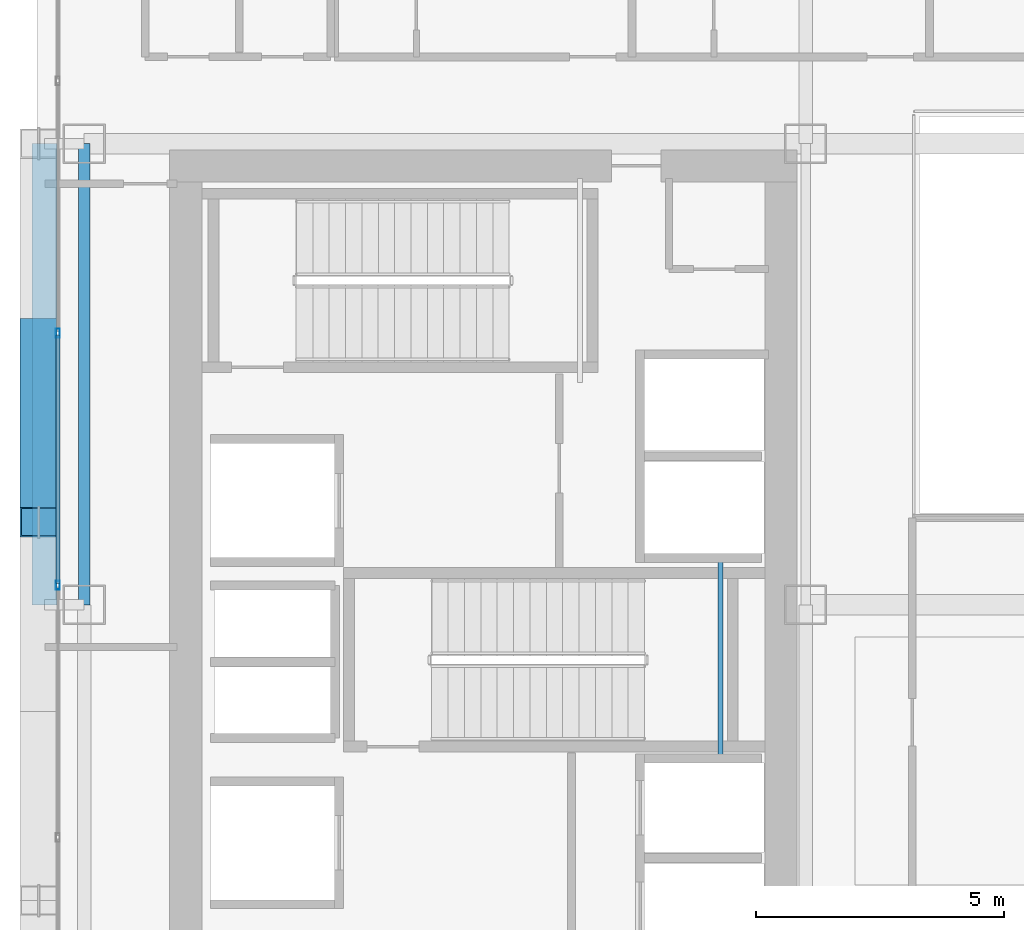
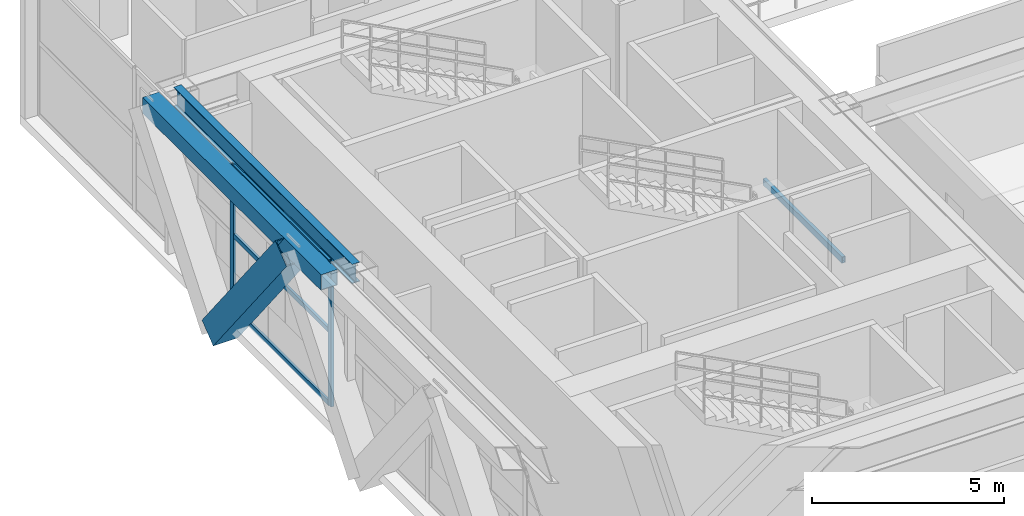
# One storey, part 9 of 38: 6 members, 3 beams, 1 element without a shape of its own.
"""IFC4 building model written with IfcOpenShell, lengths in metres."""

from ifc_helpers import new_model, si_unit, direction, frame, origin, origin_2d, place, context, subcontext, project, spatial, hollow_rectangle, i_section, extrude, source, transform, mapped, material, layer, layer_set, material_profile, profile_set, type_object, element, aggregate, save


model = new_model("IFC4")

# Units and contexts
model_context = context("Model", 3, precision=1e-05, world=origin(), true_north=direction((0.0, 1.0)))
body_context = subcontext(model_context, "Body", "Model", "MODEL_VIEW")
ifc_project = project(units=[si_unit("LENGTHUNIT", "METRE"), si_unit("AREAUNIT", "SQUARE_METRE"), si_unit("VOLUMEUNIT", "CUBIC_METRE"), si_unit("PLANEANGLEUNIT", "RADIAN"), si_unit("MASSUNIT", "GRAM", prefix="KILO")], contexts=[model_context])

# Site, building, storey
site_placement = place(None, origin())
site = spatial("IfcSite", under=ifc_project, at=site_placement, CompositionType="ELEMENT")
building_placement = place(site_placement, origin())
building = spatial("IfcBuilding", under=site, at=building_placement, Name="Ocotamira Hotel", CompositionType="ELEMENT")
storey_placement = place(building_placement, frame((0.0, 0.0, 92.39990234375)))
storey = spatial("IfcBuildingStorey", under=building, at=storey_placement, Name="L22", CompositionType="ELEMENT", Elevation=92.39990234375)

# Beams
ifc_material_1 = material(Name="Steel ASTM A500 Grade C", Category="steel")
ifc_material_profile_1 = material_profile(ifc_material_1, hollow_rectangle(XDim=0.10009765625, YDim=0.199951171875, WallThickness=0.008056640625, at=origin_2d()), Name="HSS200X100X8")
ifc_profile_set_1 = profile_set([ifc_material_profile_1], Name="Steel ASTM A500 Grade C")
beam_type_1 = type_object("IfcBeamType", Name="BM-STLDG-HSS200", PredefinedType="BEAM", material=ifc_profile_set_1)
shared_shape_1 = source(origin(), body_context, "Body", "SweptSolid", [
    extrude(hollow_rectangle(XDim=0.10009765625, YDim=0.199951171875, WallThickness=0.008056640625, at=origin_2d()), origin(), (0.0, 0.0, 1.0), 4.1201171875),
])
beam_1_placement = place(storey_placement, frame((21.780029296875, 24.97998046875, 2.10009765625), z_axis=(0.0, 1.0, 0.0), x_axis=(-1.0, 0.0, 0.0)))
element("IfcBeam", 1, at=beam_1_placement, inside=storey, type_object=beam_type_1, Name="L22 Stair ST-3 Landing Bearer 1", PredefinedType="BEAM", context=body_context, shape_type="MappedRepresentation", body=[
    mapped(shared_shape_1, transform((0.0, 0.0, 0.0), scale=1.0)),
])
ifc_material_2 = material(Name="Steel ASTM A992 Grade 50", Category="steel")
ifc_material_profile_2 = material_profile(ifc_material_2, i_section(OverallWidth=0.22998046875, OverallDepth=0.616943359375, WebThickness=0.01318359375, FlangeThickness=0.022216796875, FilletRadius=0.012939453125, at=origin_2d()), Name="W24X94")
ifc_profile_set_2 = profile_set([ifc_material_profile_2], Name="Steel ASTM A992 Grade 50")
beam_type_2 = type_object("IfcBeamType", Name="BM-PRIM-W24X94", PredefinedType="BEAM", material=ifc_profile_set_2)
shared_shape_2 = source(origin(), body_context, "Body", "SweptSolid", [
    extrude(i_section(OverallWidth=0.22998046875, OverallDepth=0.616943359375, WebThickness=0.01318359375, FlangeThickness=0.022216796875, FilletRadius=0.012939453125, at=origin_2d()), origin(), (0.0, 0.0, 1.0), 9.300048828125),
])
beam_2_placement = place(storey_placement, frame((8.949951171875, 28.14990234375, 4.251708984375), z_axis=(0.0, 1.0, 0.0), x_axis=(-1.0, 0.0, 0.0)))
element("IfcBeam", 2, at=beam_2_placement, inside=storey, type_object=beam_type_2, Name="L22 Beam X8.95 Y28.15-37.45", PredefinedType="BEAM", context=body_context, shape_type="MappedRepresentation", body=[
    mapped(shared_shape_2, transform((0.0, 0.0, 0.0), scale=1.0)),
])
ifc_material_profile_3 = material_profile(ifc_material_1, hollow_rectangle(XDim=0.5, YDim=0.5, WallThickness=0.02001953125, at=origin_2d()), Name="HSS500X500X20")
ifc_profile_set_3 = profile_set([ifc_material_profile_3], Name="Steel ASTM A500 Grade C")
beam_type_3 = type_object("IfcBeamType", Name="BM-SPAN-HSS500", PredefinedType="USERDEFINED", material=ifc_profile_set_3)
shared_shape_3 = source(origin(), body_context, "Body", "SweptSolid", [
    extrude(hollow_rectangle(XDim=0.5, YDim=0.5, WallThickness=0.02001953125, at=origin_2d()), origin(), (0.0, 0.0, 1.0), 9.300048828125),
])
beam_3_placement = place(storey_placement, frame((8.14990234375, 28.14990234375, 4.31005859375), z_axis=(0.0, 1.0, 0.0), x_axis=(-1.0, 0.0, 0.0)))
element("IfcBeam", 3, at=beam_3_placement, inside=storey, type_object=beam_type_3, Name="L22 Edge Spandrel W Y28.15-37.45", ObjectType="SPANDREL", PredefinedType="USERDEFINED", context=body_context, shape_type="MappedRepresentation", body=[
    mapped(shared_shape_3, transform((0.0, 0.0, 0.0), scale=1.0)),
])

# Member
ifc_material_3 = material(Name="Pale-metal coated steel ASTM A913 Grade 65", Category="steel")
ifc_material_profile_4 = material_profile(ifc_material_3, hollow_rectangle(XDim=0.75, YDim=0.75, WallThickness=0.028076171875, at=origin_2d()), Name="BOX750X750X28")
ifc_profile_set_4 = profile_set([ifc_material_profile_4], Name="Pale-metal coated steel ASTM A913 Grade 65")
member_type_1 = type_object("IfcMemberType", Name="MEM-EXO-BOX750", PredefinedType="BRACE", material=ifc_profile_set_4)
shared_shape_4 = source(origin(), body_context, "Body", "SweptSolid", [
    extrude(hollow_rectangle(XDim=0.75, YDim=0.75, WallThickness=0.028076171875, at=origin_2d()), origin(), (0.0, 0.0, 1.0), 6.16357421875),
])
member_1_placement = place(storey_placement, frame((8.030029296875, 33.63330078125, -0.52978515625), z_axis=(0.0, -0.619216534821, 0.785220276741), x_axis=(1.0, 0.0, 0.0)))
element("IfcMember", 4, at=member_1_placement, inside=storey, type_object=member_type_1, Name="L22 Exoskeleton Diagrid W2.1", PredefinedType="BRACE", context=body_context, shape_type="MappedRepresentation", body=[
    mapped(shared_shape_4, transform((0.0, 0.0, 0.0), scale=1.0)),
])

# Curtain wall, members
ifc_material_4 = material(Name="Anodised pale-metal aluminium and solar glass", Category="aluminium")
ifc_layer = layer(ifc_material_4, 0.239990234375)
ifc_layer_set = layer_set([ifc_layer], Name="Anodised pale-metal aluminium and solar glass")
curtain_wall_type = type_object("IfcCurtainWallType", Name="CW-SYS5-SKY", PredefinedType="NOTDEFINED", material=ifc_layer_set)
curtain_wall_placement = place(storey_placement, origin())
curtain_wall = element("IfcCurtainWall", 5, at=curtain_wall_placement, inside=storey, type_object=curtain_wall_type, Name="L22 Curtain Wall CW-5 CW-L22-W", PredefinedType="NOTDEFINED")
ifc_material_5 = material(Name="Anodised pale-metal aluminium 6063-T6", Category="aluminium")
ifc_material_profile_5 = material_profile(ifc_material_5, hollow_rectangle(XDim=0.074951171875, YDim=0.14990234375, WallThickness=0.006103515625, at=origin_2d()), Name="HSS150X75X6")
ifc_profile_set_5 = profile_set([ifc_material_profile_5], Name="Anodised pale-metal aluminium 6063-T6")
member_type_2 = type_object("IfcMemberType", Name="CWT-150X75", PredefinedType="USERDEFINED", material=ifc_profile_set_5)
shared_shape_5 = source(origin(), body_context, "Body", "SweptSolid", [
    extrude(hollow_rectangle(XDim=0.074951171875, YDim=0.14990234375, WallThickness=0.006103515625, at=origin_2d()), origin(), (0.0, 0.0, 1.0), 5.005859375),
])
member_2_placement = place(storey_placement, frame((8.419921875, 28.582763671875, 0.03759765625), z_axis=(0.0, 1.0, 0.0), x_axis=(-1.0, 0.0, 0.0)))
member_2 = element("IfcMember", 6, at=member_2_placement, type_object=member_type_2, Name="CW-5 transom 5.1", ObjectType="TRANSOM", PredefinedType="USERDEFINED", context=body_context, shape_type="MappedRepresentation", body=[
    mapped(shared_shape_5, transform((0.0, 0.0, 0.0), scale=1.0)),
])
member_3_placement = place(storey_placement, frame((8.419921875, 28.582763671875, 2.35009765625), z_axis=(0.0, 1.0, 0.0), x_axis=(-1.0, 0.0, 0.0)))
member_3 = element("IfcMember", 7, at=member_3_placement, type_object=member_type_2, Name="CW-5 transom 5.2", ObjectType="TRANSOM", PredefinedType="USERDEFINED", context=body_context, shape_type="MappedRepresentation", body=[
    mapped(shared_shape_5, transform((0.0, 0.0, 0.0), scale=1.0)),
])
member_4_placement = place(storey_placement, frame((8.419921875, 28.582763671875, 4.522705078125), z_axis=(0.0, 1.0, 0.0), x_axis=(-1.0, 0.0, 0.0)))
member_4 = element("IfcMember", 8, at=member_4_placement, type_object=member_type_2, Name="CW-5 transom 5.3", ObjectType="TRANSOM", PredefinedType="USERDEFINED", context=body_context, shape_type="MappedRepresentation", body=[
    mapped(shared_shape_5, transform((0.0, 0.0, 0.0), scale=1.0)),
])
ifc_material_profile_6 = material_profile(ifc_material_5, hollow_rectangle(XDim=0.080078125, YDim=0.179931640625, WallThickness=0.006103515625, at=origin_2d()), Name="HSS180X80X6")
ifc_profile_set_6 = profile_set([ifc_material_profile_6], Name="Anodised pale-metal aluminium 6063-T6")
member_type_3 = type_object("IfcMemberType", Name="CWM-180X75", PredefinedType="MULLION", material=ifc_profile_set_6)
shared_shape_6 = source(origin(), body_context, "Body", "SweptSolid", [
    extrude(hollow_rectangle(XDim=0.080078125, YDim=0.179931640625, WallThickness=0.006103515625, at=origin_2d()), origin(), (0.0, 0.0, 1.0), 4.56005859375),
])
member_5_placement = place(storey_placement, frame((8.419921875, 28.54296875, 0.0), z_axis=(0.0, 0.0, 1.0), x_axis=(-1.0, 0.0, 0.0)))
member_5 = element("IfcMember", 9, at=member_5_placement, type_object=member_type_3, Name="CW-5 mullion 5", PredefinedType="MULLION", context=body_context, shape_type="MappedRepresentation", body=[
    mapped(shared_shape_6, transform((0.0, 0.0, 0.0), scale=1.0)),
])
member_6_placement = place(storey_placement, frame((8.419921875, 33.628662109375, 0.0), z_axis=(0.0, 0.0, 1.0), x_axis=(-1.0, 0.0, 0.0)))
member_6 = element("IfcMember", 10, at=member_6_placement, type_object=member_type_3, Name="CW-5 mullion 6", PredefinedType="MULLION", context=body_context, shape_type="MappedRepresentation", body=[
    mapped(shared_shape_6, transform((0.0, 0.0, 0.0), scale=1.0)),
])
aggregate(curtain_wall, [member_5, member_6, member_2, member_3, member_4])

save(model, "model.ifc")
